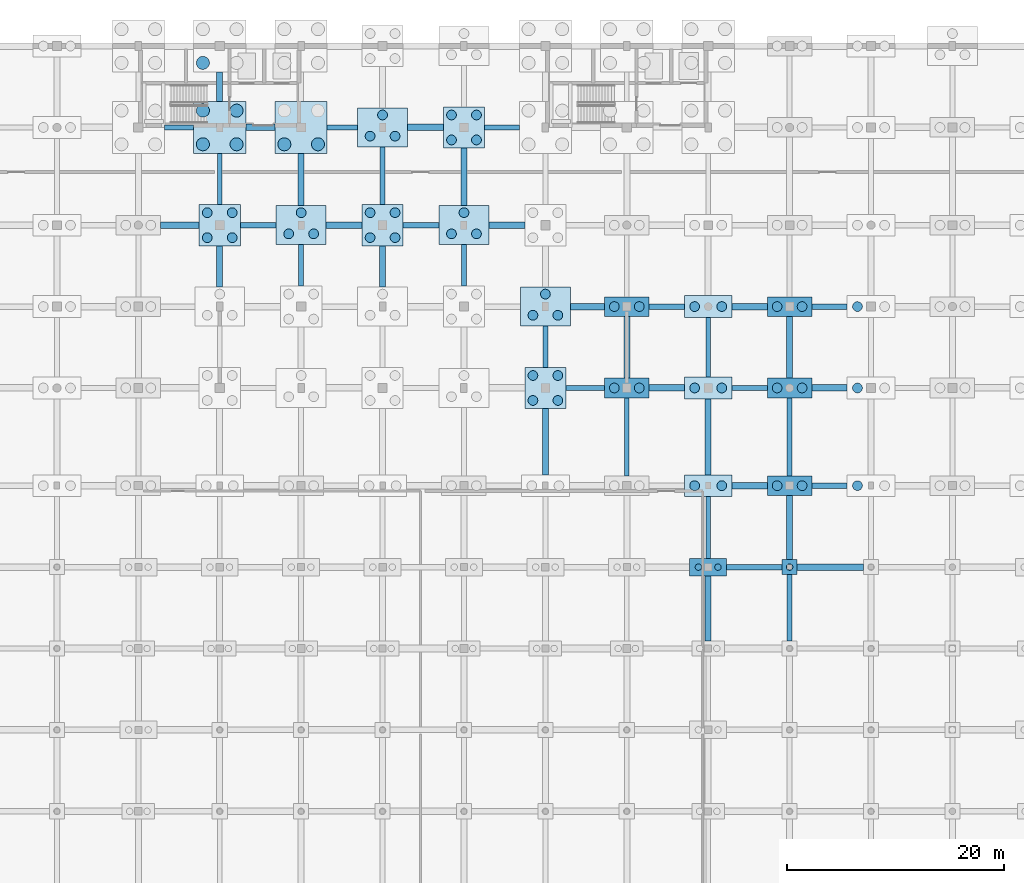
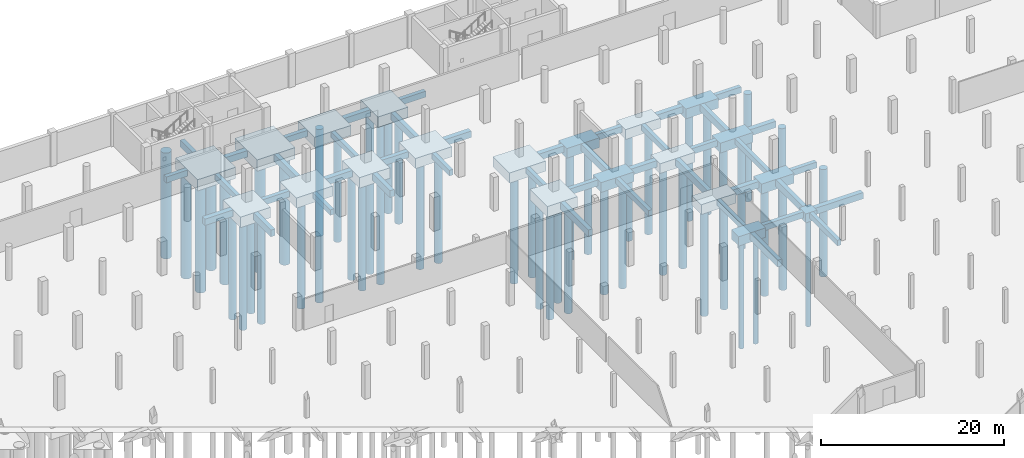
# One storey, part 9 of 42: 63 footings, 57 piles.
"""IFC4 building model written with IfcOpenShell, lengths in metres."""

from ifc_helpers import new_model, si_unit, direction, frame, origin, origin_2d, place, context, subcontext, project, spatial, rectangle, circle, extrude, material, material_profile, profile_set, type_object, element, save


model = new_model("IFC4")

# Units and contexts
model_context = context("Model", 3, precision=1e-05, world=origin(), true_north=direction((0.0, 1.0)))
body_context = subcontext(model_context, "Body", "Model", "MODEL_VIEW")
ifc_project = project(units=[si_unit("LENGTHUNIT", "METRE"), si_unit("AREAUNIT", "SQUARE_METRE"), si_unit("VOLUMEUNIT", "CUBIC_METRE"), si_unit("PLANEANGLEUNIT", "RADIAN"), si_unit("MASSUNIT", "GRAM", prefix="KILO")], contexts=[model_context])

# Site, building, storey
site_placement = place(None, origin())
site = spatial("IfcSite", under=ifc_project, at=site_placement, CompositionType="ELEMENT")
building_placement = place(site_placement, origin())
building = spatial("IfcBuilding", under=site, at=building_placement, Name="Dalvernix Boulevard General Hospital", CompositionType="ELEMENT")
storey_placement = place(building_placement, frame((0.0, 0.0, -4.5)))
storey = spatial("IfcBuildingStorey", under=building, at=storey_placement, Name="B1", CompositionType="ELEMENT", Elevation=-4.5)

# Footings
ifc_material_1 = material(Name="Concrete C35/45", Category="concrete")
footing_type_1 = type_object("IfcFootingType", Name="FTG-GB-01", PredefinedType="FOOTING_BEAM", material=ifc_material_1)
footing_1_placement = place(storey_placement, frame((116.75, 69.0, -1.2998046875), z_axis=(0.0, 0.0, 1.0), x_axis=(1.0, 0.0, 0.0)))
element("IfcFooting", 1, at=footing_1_placement, inside=storey, type_object=footing_type_1, Name="Ground beam K:16-17", PredefinedType="FOOTING_BEAM", context=body_context, shape_type="SweptSolid", body=[
    extrude(rectangle(XDim=5.10009765625, YDim=0.5, at=origin_2d()), origin(), (0.0, 0.0, 1.0), 0.800048828125),
])
footing_2_placement = place(storey_placement, frame((123.675048828125, 76.5, -1.2998046875), z_axis=(0.0, 0.0, 1.0), x_axis=(1.0, 0.0, 0.0)))
element("IfcFooting", 2, at=footing_2_placement, inside=storey, type_object=footing_type_1, Name="Ground beam L:17-18", PredefinedType="FOOTING_BEAM", context=body_context, shape_type="SweptSolid", body=[
    extrude(rectangle(XDim=3.25, YDim=0.5, at=origin_2d()), origin(), (0.0, 0.0, 1.0), 0.800048828125),
])
footing_3_placement = place(storey_placement, frame((101.175048828125, 85.5, -1.2998046875), z_axis=(0.0, 0.0, 1.0), x_axis=(1.0, 0.0, 0.0)))
element("IfcFooting", 3, at=footing_3_placement, inside=storey, type_object=footing_type_1, Name="Ground beam M:14-15", PredefinedType="FOOTING_BEAM", context=body_context, shape_type="SweptSolid", body=[
    extrude(rectangle(XDim=3.550048828125, YDim=0.5, at=origin_2d()), origin(), (0.0, 0.0, 1.0), 0.800048828125),
])
for number, where, z_axis, x_axis, name in (
    (4, (116.324951171875, 85.5, -1.2998046875), (0.0, 0.0, 1.0), (1.0, 0.0, 0.0), "Ground beam M:16-17"),
    (5, (108.675048828125, 93.0, -1.2998046875), (0.0, 0.0, 1.0), (1.0, 0.0, 0.0), "Ground beam N:15-16"),
    (6, (123.675048828125, 93.0, -1.2998046875), (0.0, 0.0, 1.0), (1.0, 0.0, 0.0), "Ground beam N:17-18"),
):
    element("IfcFooting", number, at=place(storey_placement, frame(where, z_axis=z_axis, x_axis=x_axis)), inside=storey, type_object=footing_type_1, Name=name, PredefinedType="FOOTING_BEAM", context=body_context, shape_type="SweptSolid", body=[
        extrude(rectangle(XDim=3.25, YDim=0.5, at=origin_2d()), origin(), (0.0, 0.0, 1.0), 0.800048828125),
    ])
for number, where, z_axis, x_axis, name in (
    (7, (71.050048828125, 100.5, -1.2998046875), (0.0, 0.0, 1.0), (1.0, 0.0, 0.0), "Ground beam P:10-11"),
    (8, (86.050048828125, 100.5, -1.2998046875), (0.0, 0.0, 1.0), (1.0, 0.0, 0.0), "Ground beam P:12-13"),
):
    element("IfcFooting", number, at=place(storey_placement, frame(where, z_axis=z_axis, x_axis=x_axis)), inside=storey, type_object=footing_type_1, Name=name, PredefinedType="FOOTING_BEAM", context=body_context, shape_type="SweptSolid", body=[
        extrude(rectangle(XDim=3.300048828125, YDim=0.5, at=origin_2d()), origin(), (0.0, 0.0, 1.0), 0.800048828125),
    ])
footing_4_placement = place(storey_placement, frame((63.75, 109.5, -1.2998046875), z_axis=(0.0, 0.0, 1.0), x_axis=(1.0, 0.0, 0.0)))
element("IfcFooting", 9, at=footing_4_placement, inside=storey, type_object=footing_type_1, Name="Ground beam Q:9-10", PredefinedType="FOOTING_BEAM", context=body_context, shape_type="SweptSolid", body=[
    extrude(rectangle(XDim=2.699951171875, YDim=0.5, at=origin_2d()), origin(), (0.0, 0.0, 1.0), 0.800048828125),
])
footing_5_placement = place(storey_placement, frame((78.800048828125, 109.5, -1.2998046875), z_axis=(0.0, 0.0, 1.0), x_axis=(1.0, 0.0, 0.0)))
element("IfcFooting", 10, at=footing_5_placement, inside=storey, type_object=footing_type_1, Name="Ground beam Q:11-12", PredefinedType="FOOTING_BEAM", context=body_context, shape_type="SweptSolid", body=[
    extrude(rectangle(XDim=2.800048828125, YDim=0.5, at=origin_2d()), origin(), (0.0, 0.0, 1.0), 0.800048828125),
])
footing_6_placement = place(storey_placement, frame((93.5, 109.5, -1.2998046875), z_axis=(0.0, 0.0, 1.0), x_axis=(1.0, 0.0, 0.0)))
element("IfcFooting", 11, at=footing_6_placement, inside=storey, type_object=footing_type_1, Name="Ground beam Q:13-14", PredefinedType="FOOTING_BEAM", context=body_context, shape_type="SweptSolid", body=[
    extrude(rectangle(XDim=3.199951171875, YDim=0.5, at=origin_2d()), origin(), (0.0, 0.0, 1.0), 0.800048828125),
])
footing_type_2 = type_object("IfcFootingType", Name="FTG-GB-02", PredefinedType="FOOTING_BEAM", material=ifc_material_1)
footing_7_placement = place(storey_placement, frame((123.75, 69.0, -1.35009765625), z_axis=(0.0, 0.0, 1.0), x_axis=(1.0, 0.0, 0.0)))
element("IfcFooting", 12, at=footing_7_placement, inside=storey, type_object=footing_type_2, Name="Ground beam K:17-18", PredefinedType="FOOTING_BEAM", context=body_context, shape_type="SweptSolid", body=[
    extrude(rectangle(XDim=6.10009765625, YDim=0.60009765625, at=origin_2d()), origin(), (0.0, 0.0, 1.0), 0.85009765625),
])
for number, where, z_axis, x_axis, name in (
    (13, (116.324951171875, 76.5, -1.35009765625), (0.0, 0.0, 1.0), (1.0, 0.0, 0.0), "Ground beam L:16-17"),
    (14, (108.675048828125, 85.5, -1.35009765625), (0.0, 0.0, 1.0), (1.0, 0.0, 0.0), "Ground beam M:15-16"),
    (15, (123.675048828125, 85.5, -1.35009765625), (0.0, 0.0, 1.0), (1.0, 0.0, 0.0), "Ground beam M:17-18"),
):
    element("IfcFooting", number, at=place(storey_placement, frame(where, z_axis=z_axis, x_axis=x_axis)), inside=storey, type_object=footing_type_2, Name=name, PredefinedType="FOOTING_BEAM", context=body_context, shape_type="SweptSolid", body=[
        extrude(rectangle(XDim=3.25, YDim=0.60009765625, at=origin_2d()), origin(), (0.0, 0.0, 1.0), 0.85009765625),
    ])
footing_8_placement = place(storey_placement, frame((101.375, 93.0, -1.35009765625), z_axis=(0.0, 0.0, 1.0), x_axis=(1.0, 0.0, 0.0)))
element("IfcFooting", 16, at=footing_8_placement, inside=storey, type_object=footing_type_2, Name="Ground beam N:14-15", PredefinedType="FOOTING_BEAM", context=body_context, shape_type="SweptSolid", body=[
    extrude(rectangle(XDim=3.14990234375, YDim=0.60009765625, at=origin_2d()), origin(), (0.0, 0.0, 1.0), 0.85009765625),
])
footing_9_placement = place(storey_placement, frame((116.324951171875, 93.0, -1.35009765625), z_axis=(0.0, 0.0, 1.0), x_axis=(1.0, 0.0, 0.0)))
element("IfcFooting", 17, at=footing_9_placement, inside=storey, type_object=footing_type_2, Name="Ground beam N:16-17", PredefinedType="FOOTING_BEAM", context=body_context, shape_type="SweptSolid", body=[
    extrude(rectangle(XDim=3.25, YDim=0.60009765625, at=origin_2d()), origin(), (0.0, 0.0, 1.0), 0.85009765625),
])
footing_10_placement = place(storey_placement, frame((63.824951171875, 100.5, -1.35009765625), z_axis=(0.0, 0.0, 1.0), x_axis=(1.0, 0.0, 0.0)))
element("IfcFooting", 18, at=footing_10_placement, inside=storey, type_object=footing_type_2, Name="Ground beam P:9-10", PredefinedType="FOOTING_BEAM", context=body_context, shape_type="SweptSolid", body=[
    extrude(rectangle(XDim=3.550048828125, YDim=0.60009765625, at=origin_2d()), origin(), (0.0, 0.0, 1.0), 0.85009765625),
])
for number, where, z_axis, x_axis, name in (
    (19, (78.949951171875, 100.5, -1.35009765625), (0.0, 0.0, 1.0), (1.0, 0.0, 0.0), "Ground beam P:11-12"),
    (20, (93.949951171875, 100.5, -1.35009765625), (0.0, 0.0, 1.0), (1.0, 0.0, 0.0), "Ground beam P:13-14"),
):
    element("IfcFooting", number, at=place(storey_placement, frame(where, z_axis=z_axis, x_axis=x_axis)), inside=storey, type_object=footing_type_2, Name=name, PredefinedType="FOOTING_BEAM", context=body_context, shape_type="SweptSolid", body=[
        extrude(rectangle(XDim=3.300048828125, YDim=0.60009765625, at=origin_2d()), origin(), (0.0, 0.0, 1.0), 0.85009765625),
    ])
footing_11_placement = place(storey_placement, frame((71.25, 109.5, -1.35009765625), z_axis=(0.0, 0.0, 1.0), x_axis=(1.0, 0.0, 0.0)))
element("IfcFooting", 21, at=footing_11_placement, inside=storey, type_object=footing_type_2, Name="Ground beam Q:10-11", PredefinedType="FOOTING_BEAM", context=body_context, shape_type="SweptSolid", body=[
    extrude(rectangle(XDim=2.699951171875, YDim=0.60009765625, at=origin_2d()), origin(), (0.0, 0.0, 1.0), 0.85009765625),
])
footing_12_placement = place(storey_placement, frame((86.449951171875, 109.5, -1.35009765625), z_axis=(0.0, 0.0, 1.0), x_axis=(1.0, 0.0, 0.0)))
element("IfcFooting", 22, at=footing_12_placement, inside=storey, type_object=footing_type_2, Name="Ground beam Q:12-13", PredefinedType="FOOTING_BEAM", context=body_context, shape_type="SweptSolid", body=[
    extrude(rectangle(XDim=3.300048828125, YDim=0.60009765625, at=origin_2d()), origin(), (0.0, 0.0, 1.0), 0.85009765625),
])
footing_type_3 = type_object("IfcFootingType", Name="FTG-GB-03", PredefinedType="FOOTING_BEAM", material=ifc_material_1)
footing_13_placement = place(storey_placement, frame((67.5, 104.75, -1.25), z_axis=(0.0, 0.0, 1.0), x_axis=(0.0, 1.0, 0.0)))
element("IfcFooting", 23, at=footing_13_placement, inside=storey, type_object=footing_type_3, Name="Ground beam 10:P-Q", PredefinedType="FOOTING_BEAM", context=body_context, shape_type="SweptSolid", body=[
    extrude(rectangle(XDim=4.699951171875, YDim=0.449951171875, at=origin_2d()), origin(), (0.0, 0.0, 1.0), 0.75),
])
footing_14_placement = place(storey_placement, frame((75.0, 96.800048828125, -1.25), z_axis=(0.0, 0.0, 1.0), x_axis=(0.0, 1.0, 0.0)))
element("IfcFooting", 24, at=footing_14_placement, inside=storey, type_object=footing_type_3, Name="Ground beam 11:N-P", PredefinedType="FOOTING_BEAM", context=body_context, shape_type="SweptSolid", body=[
    extrude(rectangle(XDim=3.800048828125, YDim=0.449951171875, at=origin_2d()), origin(), (0.0, 0.0, 1.0), 0.75),
])
footing_15_placement = place(storey_placement, frame((82.5, 105.050048828125, -1.25), z_axis=(0.0, 0.0, 1.0), x_axis=(0.0, 1.0, 0.0)))
element("IfcFooting", 25, at=footing_15_placement, inside=storey, type_object=footing_type_3, Name="Ground beam 12:P-Q", PredefinedType="FOOTING_BEAM", context=body_context, shape_type="SweptSolid", body=[
    extrude(rectangle(XDim=5.300048828125, YDim=0.449951171875, at=origin_2d()), origin(), (0.0, 0.0, 1.0), 0.75),
])
for number, where, z_axis, x_axis, name in (
    (26, (90.0, 96.800048828125, -1.25), (0.0, 0.0, 1.0), (0.0, 1.0, 0.0), "Ground beam 13:N-P"),
    (27, (97.5, 89.300048828125, -1.25), (0.0, 0.0, 1.0), (0.0, 1.0, 0.0), "Ground beam 14:M-N"),
):
    element("IfcFooting", number, at=place(storey_placement, frame(where, z_axis=z_axis, x_axis=x_axis)), inside=storey, type_object=footing_type_3, Name=name, PredefinedType="FOOTING_BEAM", context=body_context, shape_type="SweptSolid", body=[
        extrude(rectangle(XDim=3.800048828125, YDim=0.449951171875, at=origin_2d()), origin(), (0.0, 0.0, 1.0), 0.75),
    ])
footing_16_placement = place(storey_placement, frame((105.0, 81.0, -1.25), z_axis=(0.0, 0.0, 1.0), x_axis=(0.0, 1.0, 0.0)))
element("IfcFooting", 28, at=footing_16_placement, inside=storey, type_object=footing_type_3, Name="Ground beam 15:L-M", PredefinedType="FOOTING_BEAM", context=body_context, shape_type="SweptSolid", body=[
    extrude(rectangle(XDim=7.199951171875, YDim=0.449951171875, at=origin_2d()), origin(), (0.0, 0.0, 1.0), 0.75),
])
footing_17_placement = place(storey_placement, frame((112.5, 72.64990234375, -1.25), z_axis=(0.0, 0.0, 1.0), x_axis=(0.0, 1.0, 0.0)))
element("IfcFooting", 29, at=footing_17_placement, inside=storey, type_object=footing_type_3, Name="Ground beam 16:K-L", PredefinedType="FOOTING_BEAM", context=body_context, shape_type="SweptSolid", body=[
    extrude(rectangle(XDim=5.699951171875, YDim=0.449951171875, at=origin_2d()), origin(), (0.0, 0.0, 1.0), 0.75),
])
footing_18_placement = place(storey_placement, frame((112.5, 89.25, -1.25), z_axis=(0.0, 0.0, 1.0), x_axis=(0.0, 1.0, 0.0)))
element("IfcFooting", 30, at=footing_18_placement, inside=storey, type_object=footing_type_3, Name="Ground beam 16:M-N", PredefinedType="FOOTING_BEAM", context=body_context, shape_type="SweptSolid", body=[
    extrude(rectangle(XDim=5.5, YDim=0.449951171875, at=origin_2d()), origin(), (0.0, 0.0, 1.0), 0.75),
])
footing_19_placement = place(storey_placement, frame((120.0, 65.25, -1.25), z_axis=(0.0, 0.0, 1.0), x_axis=(0.0, 1.0, 0.0)))
element("IfcFooting", 31, at=footing_19_placement, inside=storey, type_object=footing_type_3, Name="Ground beam 17:J-K", PredefinedType="FOOTING_BEAM", context=body_context, shape_type="SweptSolid", body=[
    extrude(rectangle(XDim=6.10009765625, YDim=0.449951171875, at=origin_2d()), origin(), (0.0, 0.0, 1.0), 0.75),
])
footing_20_placement = place(storey_placement, frame((120.0, 81.0, -1.25), z_axis=(0.0, 0.0, 1.0), x_axis=(0.0, 1.0, 0.0)))
element("IfcFooting", 32, at=footing_20_placement, inside=storey, type_object=footing_type_3, Name="Ground beam 17:L-M", PredefinedType="FOOTING_BEAM", context=body_context, shape_type="SweptSolid", body=[
    extrude(rectangle(XDim=7.199951171875, YDim=0.449951171875, at=origin_2d()), origin(), (0.0, 0.0, 1.0), 0.75),
])
footing_type_4 = type_object("IfcFootingType", Name="FTG-GB-04", PredefinedType="FOOTING_BEAM", material=ifc_material_1)
footing_21_placement = place(storey_placement, frame((67.5, 96.699951171875, -1.39990234375), z_axis=(0.0, 0.0, 1.0), x_axis=(0.0, 1.0, 0.0)))
element("IfcFooting", 33, at=footing_21_placement, inside=storey, type_object=footing_type_4, Name="Ground beam 10:N-P", PredefinedType="FOOTING_BEAM", context=body_context, shape_type="SweptSolid", body=[
    extrude(rectangle(XDim=3.800048828125, YDim=0.550048828125, at=origin_2d()), origin(), (0.0, 0.0, 1.0), 0.89990234375),
])
footing_22_placement = place(storey_placement, frame((67.5, 113.25, -1.39990234375), z_axis=(0.0, 0.0, 1.0), x_axis=(0.0, 1.0, 0.0)))
element("IfcFooting", 34, at=footing_22_placement, inside=storey, type_object=footing_type_4, Name="Ground beam 10:Q-R", PredefinedType="FOOTING_BEAM", context=body_context, shape_type="SweptSolid", body=[
    extrude(rectangle(XDim=2.699951171875, YDim=0.550048828125, at=origin_2d()), origin(), (0.0, 0.0, 1.0), 0.89990234375),
])
footing_23_placement = place(storey_placement, frame((75.0, 104.699951171875, -1.39990234375), z_axis=(0.0, 0.0, 1.0), x_axis=(0.0, 1.0, 0.0)))
element("IfcFooting", 35, at=footing_23_placement, inside=storey, type_object=footing_type_4, Name="Ground beam 11:P-Q", PredefinedType="FOOTING_BEAM", context=body_context, shape_type="SweptSolid", body=[
    extrude(rectangle(XDim=4.800048828125, YDim=0.550048828125, at=origin_2d()), origin(), (0.0, 0.0, 1.0), 0.89990234375),
])
footing_24_placement = place(storey_placement, frame((82.5, 96.699951171875, -1.39990234375), z_axis=(0.0, 0.0, 1.0), x_axis=(0.0, 1.0, 0.0)))
element("IfcFooting", 36, at=footing_24_placement, inside=storey, type_object=footing_type_4, Name="Ground beam 12:N-P", PredefinedType="FOOTING_BEAM", context=body_context, shape_type="SweptSolid", body=[
    extrude(rectangle(XDim=3.800048828125, YDim=0.550048828125, at=origin_2d()), origin(), (0.0, 0.0, 1.0), 0.89990234375),
])
footing_25_placement = place(storey_placement, frame((90.0, 104.949951171875, -1.39990234375), z_axis=(0.0, 0.0, 1.0), x_axis=(0.0, 1.0, 0.0)))
element("IfcFooting", 37, at=footing_25_placement, inside=storey, type_object=footing_type_4, Name="Ground beam 13:P-Q", PredefinedType="FOOTING_BEAM", context=body_context, shape_type="SweptSolid", body=[
    extrude(rectangle(XDim=5.300048828125, YDim=0.550048828125, at=origin_2d()), origin(), (0.0, 0.0, 1.0), 0.89990234375),
])
footing_26_placement = place(storey_placement, frame((97.5, 80.550048828125, -1.39990234375), z_axis=(0.0, 0.0, 1.0), x_axis=(0.0, 1.0, 0.0)))
element("IfcFooting", 38, at=footing_26_placement, inside=storey, type_object=footing_type_4, Name="Ground beam 14:L-M", PredefinedType="FOOTING_BEAM", context=body_context, shape_type="SweptSolid", body=[
    extrude(rectangle(XDim=6.10009765625, YDim=0.550048828125, at=origin_2d()), origin(), (0.0, 0.0, 1.0), 0.89990234375),
])
footing_27_placement = place(storey_placement, frame((105.0, 89.25, -1.39990234375), z_axis=(0.0, 0.0, 1.0), x_axis=(0.0, 1.0, 0.0)))
element("IfcFooting", 39, at=footing_27_placement, inside=storey, type_object=footing_type_4, Name="Ground beam 15:M-N", PredefinedType="FOOTING_BEAM", context=body_context, shape_type="SweptSolid", body=[
    extrude(rectangle(XDim=5.699951171875, YDim=0.550048828125, at=origin_2d()), origin(), (0.0, 0.0, 1.0), 0.89990234375),
])
footing_28_placement = place(storey_placement, frame((112.5, 65.199951171875, -1.39990234375), z_axis=(0.0, 0.0, 1.0), x_axis=(0.0, 1.0, 0.0)))
element("IfcFooting", 40, at=footing_28_placement, inside=storey, type_object=footing_type_4, Name="Ground beam 16:J-K", PredefinedType="FOOTING_BEAM", context=body_context, shape_type="SweptSolid", body=[
    extrude(rectangle(XDim=6.0, YDim=0.550048828125, at=origin_2d()), origin(), (0.0, 0.0, 1.0), 0.89990234375),
])
footing_29_placement = place(storey_placement, frame((112.5, 81.0, -1.39990234375), z_axis=(0.0, 0.0, 1.0), x_axis=(0.0, 1.0, 0.0)))
element("IfcFooting", 41, at=footing_29_placement, inside=storey, type_object=footing_type_4, Name="Ground beam 16:L-M", PredefinedType="FOOTING_BEAM", context=body_context, shape_type="SweptSolid", body=[
    extrude(rectangle(XDim=7.0, YDim=0.550048828125, at=origin_2d()), origin(), (0.0, 0.0, 1.0), 0.89990234375),
])
footing_30_placement = place(storey_placement, frame((120.0, 72.64990234375, -1.39990234375), z_axis=(0.0, 0.0, 1.0), x_axis=(0.0, 1.0, 0.0)))
element("IfcFooting", 42, at=footing_30_placement, inside=storey, type_object=footing_type_4, Name="Ground beam 17:K-L", PredefinedType="FOOTING_BEAM", context=body_context, shape_type="SweptSolid", body=[
    extrude(rectangle(XDim=5.89990234375, YDim=0.550048828125, at=origin_2d()), origin(), (0.0, 0.0, 1.0), 0.89990234375),
])
footing_31_placement = place(storey_placement, frame((120.0, 89.25, -1.39990234375), z_axis=(0.0, 0.0, 1.0), x_axis=(0.0, 1.0, 0.0)))
element("IfcFooting", 43, at=footing_31_placement, inside=storey, type_object=footing_type_4, Name="Ground beam 17:M-N", PredefinedType="FOOTING_BEAM", context=body_context, shape_type="SweptSolid", body=[
    extrude(rectangle(XDim=5.699951171875, YDim=0.550048828125, at=origin_2d()), origin(), (0.0, 0.0, 1.0), 0.89990234375),
])
ifc_material_2 = material(Name="Concrete C40/50", Category="concrete")
footing_type_5 = type_object("IfcFootingType", Name="FTG-PC-01", PredefinedType="PILE_CAP", material=ifc_material_2)
footing_32_placement = place(storey_placement, frame((120.0, 69.0, -1.7001953125), z_axis=(0.0, 0.0, 1.0), x_axis=(1.0, 0.0, 0.0)))
element("IfcFooting", 44, at=footing_32_placement, inside=storey, type_object=footing_type_5, Name="Pile cap 17K", PredefinedType="PILE_CAP", context=body_context, shape_type="SweptSolid", body=[
    extrude(rectangle(XDim=1.39990234375, YDim=1.39990234375, at=origin_2d()), origin(), (0.0, 0.0, 1.0), 1.199951171875),
])
footing_type_6 = type_object("IfcFootingType", Name="FTG-PC-03", PredefinedType="PILE_CAP", material=ifc_material_2)
footing_33_placement = place(storey_placement, frame((112.5, 69.0, -1.75), z_axis=(0.0, 0.0, 1.0), x_axis=(1.0, 0.0, 0.0)))
element("IfcFooting", 45, at=footing_33_placement, inside=storey, type_object=footing_type_6, Name="Pile cap 16K", PredefinedType="PILE_CAP", context=body_context, shape_type="SweptSolid", body=[
    extrude(rectangle(XDim=3.39990234375, YDim=1.60009765625, at=origin_2d()), origin(), (0.0, 0.0, 1.0), 1.25),
])
footing_type_7 = type_object("IfcFootingType", Name="FTG-PC-04", PredefinedType="PILE_CAP", material=ifc_material_2)
for number, where, z_axis, x_axis, name in (
    (46, (105.0, 85.5, -1.7998046875), (0.0, 0.0, 1.0), (1.0, 0.0, 0.0), "Pile cap 15M"),
    (47, (105.0, 93.0, -1.7998046875), (0.0, 0.0, 1.0), (1.0, 0.0, 0.0), "Pile cap 15N"),
    (48, (120.0, 76.5, -1.7998046875), (0.0, 0.0, 1.0), (1.0, 0.0, 0.0), "Pile cap 17L"),
    (49, (120.0, 85.5, -1.7998046875), (0.0, 0.0, 1.0), (1.0, 0.0, 0.0), "Pile cap 17M"),
    (50, (120.0, 93.0, -1.7998046875), (0.0, 0.0, 1.0), (1.0, 0.0, 0.0), "Pile cap 17N"),
):
    element("IfcFooting", number, at=place(storey_placement, frame(where, z_axis=z_axis, x_axis=x_axis)), inside=storey, type_object=footing_type_7, Name=name, PredefinedType="PILE_CAP", context=body_context, shape_type="SweptSolid", body=[
        extrude(rectangle(XDim=4.10009765625, YDim=1.800048828125, at=origin_2d()), origin(), (0.0, 0.0, 1.0), 1.300048828125),
    ])
footing_type_8 = type_object("IfcFootingType", Name="FTG-PC-05", PredefinedType="PILE_CAP", material=ifc_material_2)
for number, where, z_axis, x_axis, name in (
    (51, (112.5, 76.5, -1.7998046875), (0.0, 0.0, 1.0), (1.0, 0.0, 0.0), "Pile cap 16L"),
    (52, (112.5, 85.5, -1.7998046875), (0.0, 0.0, 1.0), (1.0, 0.0, 0.0), "Pile cap 16M"),
    (53, (112.5, 93.0, -1.7998046875), (0.0, 0.0, 1.0), (1.0, 0.0, 0.0), "Pile cap 16N"),
):
    element("IfcFooting", number, at=place(storey_placement, frame(where, z_axis=z_axis, x_axis=x_axis)), inside=storey, type_object=footing_type_8, Name=name, PredefinedType="PILE_CAP", context=body_context, shape_type="SweptSolid", body=[
        extrude(rectangle(XDim=4.39990234375, YDim=2.0, at=origin_2d()), origin(), (0.0, 0.0, 1.0), 1.300048828125),
    ])
footing_type_9 = type_object("IfcFootingType", Name="FTG-PC-06", PredefinedType="PILE_CAP", material=ifc_material_2)
for number, where, z_axis, x_axis, name in (
    (54, (75.0, 100.5, -1.85009765625), (0.0, 0.0, 1.0), (1.0, 0.0, 0.0), "Pile cap 11P"),
    (55, (82.5, 109.5, -1.85009765625), (0.0, 0.0, 1.0), (1.0, 0.0, 0.0), "Pile cap 12Q"),
    (56, (90.0, 100.5, -1.85009765625), (0.0, 0.0, 1.0), (1.0, 0.0, 0.0), "Pile cap 13P"),
    (57, (97.5, 93.0, -1.85009765625), (0.0, 0.0, 1.0), (1.0, 0.0, 0.0), "Pile cap 14N"),
):
    element("IfcFooting", number, at=place(storey_placement, frame(where, z_axis=z_axis, x_axis=x_axis)), inside=storey, type_object=footing_type_9, Name=name, PredefinedType="PILE_CAP", context=body_context, shape_type="SweptSolid", body=[
        extrude(rectangle(XDim=4.60009765625, YDim=3.60009765625, at=origin_2d()), origin(), (0.0, 0.0, 1.0), 1.35009765625),
    ])
footing_type_10 = type_object("IfcFootingType", Name="FTG-PC-07", PredefinedType="PILE_CAP", material=ifc_material_2)
for number, where, z_axis, x_axis, name in (
    (58, (67.5, 100.5, -1.89990234375), (0.0, 0.0, 1.0), (1.0, 0.0, 0.0), "Pile cap 10P"),
    (59, (82.5, 100.5, -1.89990234375), (0.0, 0.0, 1.0), (1.0, 0.0, 0.0), "Pile cap 12P"),
    (60, (90.0, 109.5, -1.89990234375), (0.0, 0.0, 1.0), (1.0, 0.0, 0.0), "Pile cap 13Q"),
    (61, (97.5, 85.5, -1.89990234375), (0.0, 0.0, 1.0), (1.0, 0.0, 0.0), "Pile cap 14M"),
):
    element("IfcFooting", number, at=place(storey_placement, frame(where, z_axis=z_axis, x_axis=x_axis)), inside=storey, type_object=footing_type_10, Name=name, PredefinedType="PILE_CAP", context=body_context, shape_type="SweptSolid", body=[
        extrude(rectangle(XDim=3.800048828125, YDim=3.800048828125, at=origin_2d()), origin(), (0.0, 0.0, 1.0), 1.39990234375),
    ])
footing_type_11 = type_object("IfcFootingType", Name="FTG-PC-09", PredefinedType="PILE_CAP", material=ifc_material_2)
for number, where, z_axis, x_axis, name in (
    (62, (67.5, 109.5, -2.0), (0.0, 0.0, 1.0), (1.0, 0.0, 0.0), "Pile cap 10Q"),
    (63, (75.0, 109.5, -2.0), (0.0, 0.0, 1.0), (1.0, 0.0, 0.0), "Pile cap 11Q"),
):
    element("IfcFooting", number, at=place(storey_placement, frame(where, z_axis=z_axis, x_axis=x_axis)), inside=storey, type_object=footing_type_11, Name=name, PredefinedType="PILE_CAP", context=body_context, shape_type="SweptSolid", body=[
        extrude(rectangle(XDim=4.800048828125, YDim=4.800048828125, at=origin_2d()), origin(), (0.0, 0.0, 1.0), 1.5),
    ])

# Piles
ifc_material_profile_1 = material_profile(ifc_material_1, circle(Radius=0.300048828125, at=origin_2d()), Name="BORED PILE D600")
ifc_profile_set_1 = profile_set([ifc_material_profile_1], Name="Concrete C35/45")
pile_type_1 = type_object("IfcPileType", Name="PILE-PL-01", PredefinedType="BORED", material=ifc_profile_set_1)
for number, where, z_axis, x_axis, name in (
    (64, (111.60009765625, 69.0, -1.64990234375), (0.0, 0.0, -1.0), (1.0, 0.0, 0.0), "Bored pile 16K-1"),
    (65, (113.39990234375, 69.0, -1.64990234375), (0.0, 0.0, -1.0), (1.0, 0.0, 0.0), "Bored pile 16K-2"),
):
    element("IfcPile", number, at=place(storey_placement, frame(where, z_axis=z_axis, x_axis=x_axis)), inside=storey, type_object=pile_type_1, Name=name, PredefinedType="BORED", context=body_context, shape_type="SweptSolid", body=[
        extrude(circle(Radius=0.300048828125, at=origin_2d()), origin(), (0.0, 0.0, 1.0), 14.35009765625),
    ])
pile_placement = place(storey_placement, frame((120.0, 69.0, -1.60009765625), z_axis=(0.0, 0.0, -1.0), x_axis=(1.0, 0.0, 0.0)))
element("IfcPile", 66, at=pile_placement, inside=storey, type_object=pile_type_1, Name="Bored pile 17K-1", PredefinedType="BORED", context=body_context, shape_type="SweptSolid", body=[
    extrude(circle(Radius=0.300048828125, at=origin_2d()), origin(), (0.0, 0.0, 1.0), 14.39990234375),
])
ifc_material_profile_2 = material_profile(ifc_material_1, circle(Radius=0.449951171875, at=origin_2d()), Name="BORED PILE D900")
ifc_profile_set_2 = profile_set([ifc_material_profile_2], Name="Concrete C35/45")
pile_type_2 = type_object("IfcPileType", Name="PILE-PL-02", PredefinedType="BORED", material=ifc_profile_set_2)
for number, where, z_axis, x_axis, name in (
    (67, (66.35009765625, 99.35009765625, -1.800048828125), (0.0, 0.0, -1.0), (1.0, 0.0, 0.0), "Bored pile 10P-1"),
    (68, (68.64990234375, 99.35009765625, -1.800048828125), (0.0, 0.0, -1.0), (1.0, 0.0, 0.0), "Bored pile 10P-2"),
    (69, (66.35009765625, 101.64990234375, -1.800048828125), (0.0, 0.0, -1.0), (1.0, 0.0, 0.0), "Bored pile 10P-3"),
    (70, (68.64990234375, 101.64990234375, -1.800048828125), (0.0, 0.0, -1.0), (1.0, 0.0, 0.0), "Bored pile 10P-4"),
):
    element("IfcPile", number, at=place(storey_placement, frame(where, z_axis=z_axis, x_axis=x_axis)), inside=storey, type_object=pile_type_2, Name=name, PredefinedType="BORED", context=body_context, shape_type="SweptSolid", body=[
        extrude(circle(Radius=0.449951171875, at=origin_2d()), origin(), (0.0, 0.0, 1.0), 14.199951171875),
    ])
for number, where, z_axis, x_axis, name in (
    (71, (73.85009765625, 99.699951171875, -1.75), (0.0, 0.0, -1.0), (1.0, 0.0, 0.0), "Bored pile 11P-1"),
    (72, (76.14990234375, 99.699951171875, -1.75), (0.0, 0.0, -1.0), (1.0, 0.0, 0.0), "Bored pile 11P-2"),
    (73, (75.0, 101.64990234375, -1.75), (0.0, 0.0, -1.0), (1.0, 0.0, 0.0), "Bored pile 11P-3"),
):
    element("IfcPile", number, at=place(storey_placement, frame(where, z_axis=z_axis, x_axis=x_axis)), inside=storey, type_object=pile_type_2, Name=name, PredefinedType="BORED", context=body_context, shape_type="SweptSolid", body=[
        extrude(circle(Radius=0.449951171875, at=origin_2d()), origin(), (0.0, 0.0, 1.0), 14.25),
    ])
for number, where, z_axis, x_axis, name in (
    (74, (81.35009765625, 99.35009765625, -1.800048828125), (0.0, 0.0, -1.0), (1.0, 0.0, 0.0), "Bored pile 12P-1"),
    (75, (83.64990234375, 99.35009765625, -1.800048828125), (0.0, 0.0, -1.0), (1.0, 0.0, 0.0), "Bored pile 12P-2"),
    (76, (81.35009765625, 101.64990234375, -1.800048828125), (0.0, 0.0, -1.0), (1.0, 0.0, 0.0), "Bored pile 12P-3"),
    (77, (83.64990234375, 101.64990234375, -1.800048828125), (0.0, 0.0, -1.0), (1.0, 0.0, 0.0), "Bored pile 12P-4"),
):
    element("IfcPile", number, at=place(storey_placement, frame(where, z_axis=z_axis, x_axis=x_axis)), inside=storey, type_object=pile_type_2, Name=name, PredefinedType="BORED", context=body_context, shape_type="SweptSolid", body=[
        extrude(circle(Radius=0.449951171875, at=origin_2d()), origin(), (0.0, 0.0, 1.0), 14.199951171875),
    ])
for number, where, z_axis, x_axis, name in (
    (78, (81.35009765625, 108.699951171875, -1.75), (0.0, 0.0, -1.0), (1.0, 0.0, 0.0), "Bored pile 12Q-1"),
    (79, (83.64990234375, 108.699951171875, -1.75), (0.0, 0.0, -1.0), (1.0, 0.0, 0.0), "Bored pile 12Q-2"),
    (80, (82.5, 110.64990234375, -1.75), (0.0, 0.0, -1.0), (1.0, 0.0, 0.0), "Bored pile 12Q-3"),
    (81, (88.85009765625, 99.699951171875, -1.75), (0.0, 0.0, -1.0), (1.0, 0.0, 0.0), "Bored pile 13P-1"),
    (82, (91.14990234375, 99.699951171875, -1.75), (0.0, 0.0, -1.0), (1.0, 0.0, 0.0), "Bored pile 13P-2"),
    (83, (90.0, 101.64990234375, -1.75), (0.0, 0.0, -1.0), (1.0, 0.0, 0.0), "Bored pile 13P-3"),
):
    element("IfcPile", number, at=place(storey_placement, frame(where, z_axis=z_axis, x_axis=x_axis)), inside=storey, type_object=pile_type_2, Name=name, PredefinedType="BORED", context=body_context, shape_type="SweptSolid", body=[
        extrude(circle(Radius=0.449951171875, at=origin_2d()), origin(), (0.0, 0.0, 1.0), 14.25),
    ])
for number, where, z_axis, x_axis, name in (
    (84, (88.85009765625, 108.35009765625, -1.800048828125), (0.0, 0.0, -1.0), (1.0, 0.0, 0.0), "Bored pile 13Q-1"),
    (85, (91.14990234375, 108.35009765625, -1.800048828125), (0.0, 0.0, -1.0), (1.0, 0.0, 0.0), "Bored pile 13Q-2"),
    (86, (88.85009765625, 110.64990234375, -1.800048828125), (0.0, 0.0, -1.0), (1.0, 0.0, 0.0), "Bored pile 13Q-3"),
    (87, (91.14990234375, 110.64990234375, -1.800048828125), (0.0, 0.0, -1.0), (1.0, 0.0, 0.0), "Bored pile 13Q-4"),
    (88, (96.35009765625, 84.35009765625, -1.800048828125), (0.0, 0.0, -1.0), (1.0, 0.0, 0.0), "Bored pile 14M-1"),
    (89, (98.64990234375, 84.35009765625, -1.800048828125), (0.0, 0.0, -1.0), (1.0, 0.0, 0.0), "Bored pile 14M-2"),
    (90, (96.35009765625, 86.64990234375, -1.800048828125), (0.0, 0.0, -1.0), (1.0, 0.0, 0.0), "Bored pile 14M-3"),
    (91, (98.64990234375, 86.64990234375, -1.800048828125), (0.0, 0.0, -1.0), (1.0, 0.0, 0.0), "Bored pile 14M-4"),
):
    element("IfcPile", number, at=place(storey_placement, frame(where, z_axis=z_axis, x_axis=x_axis)), inside=storey, type_object=pile_type_2, Name=name, PredefinedType="BORED", context=body_context, shape_type="SweptSolid", body=[
        extrude(circle(Radius=0.449951171875, at=origin_2d()), origin(), (0.0, 0.0, 1.0), 14.199951171875),
    ])
for number, where, z_axis, x_axis, name in (
    (92, (96.35009765625, 92.199951171875, -1.75), (0.0, 0.0, -1.0), (1.0, 0.0, 0.0), "Bored pile 14N-1"),
    (93, (98.64990234375, 92.199951171875, -1.75), (0.0, 0.0, -1.0), (1.0, 0.0, 0.0), "Bored pile 14N-2"),
    (94, (97.5, 94.14990234375, -1.75), (0.0, 0.0, -1.0), (1.0, 0.0, 0.0), "Bored pile 14N-3"),
):
    element("IfcPile", number, at=place(storey_placement, frame(where, z_axis=z_axis, x_axis=x_axis)), inside=storey, type_object=pile_type_2, Name=name, PredefinedType="BORED", context=body_context, shape_type="SweptSolid", body=[
        extrude(circle(Radius=0.449951171875, at=origin_2d()), origin(), (0.0, 0.0, 1.0), 14.25),
    ])
for number, where, z_axis, x_axis, name in (
    (95, (103.85009765625, 85.5, -1.699951171875), (0.0, 0.0, -1.0), (1.0, 0.0, 0.0), "Bored pile 15M-1"),
    (96, (106.14990234375, 85.5, -1.699951171875), (0.0, 0.0, -1.0), (1.0, 0.0, 0.0), "Bored pile 15M-2"),
    (97, (103.85009765625, 93.0, -1.699951171875), (0.0, 0.0, -1.0), (1.0, 0.0, 0.0), "Bored pile 15N-1"),
    (98, (106.14990234375, 93.0, -1.699951171875), (0.0, 0.0, -1.0), (1.0, 0.0, 0.0), "Bored pile 15N-2"),
    (99, (111.25, 76.5, -1.699951171875), (0.0, 0.0, -1.0), (1.0, 0.0, 0.0), "Bored pile 16L-1"),
    (100, (113.75, 76.5, -1.699951171875), (0.0, 0.0, -1.0), (1.0, 0.0, 0.0), "Bored pile 16L-2"),
    (101, (111.25, 85.5, -1.699951171875), (0.0, 0.0, -1.0), (1.0, 0.0, 0.0), "Bored pile 16M-1"),
    (102, (113.75, 85.5, -1.699951171875), (0.0, 0.0, -1.0), (1.0, 0.0, 0.0), "Bored pile 16M-2"),
    (103, (111.25, 93.0, -1.699951171875), (0.0, 0.0, -1.0), (1.0, 0.0, 0.0), "Bored pile 16N-1"),
    (104, (113.75, 93.0, -1.699951171875), (0.0, 0.0, -1.0), (1.0, 0.0, 0.0), "Bored pile 16N-2"),
    (105, (118.85009765625, 76.5, -1.699951171875), (0.0, 0.0, -1.0), (1.0, 0.0, 0.0), "Bored pile 17L-1"),
    (106, (121.14990234375, 76.5, -1.699951171875), (0.0, 0.0, -1.0), (1.0, 0.0, 0.0), "Bored pile 17L-2"),
    (107, (118.85009765625, 85.5, -1.699951171875), (0.0, 0.0, -1.0), (1.0, 0.0, 0.0), "Bored pile 17M-1"),
    (108, (121.14990234375, 85.5, -1.699951171875), (0.0, 0.0, -1.0), (1.0, 0.0, 0.0), "Bored pile 17M-2"),
    (109, (118.85009765625, 93.0, -1.699951171875), (0.0, 0.0, -1.0), (1.0, 0.0, 0.0), "Bored pile 17N-1"),
    (110, (121.14990234375, 93.0, -1.699951171875), (0.0, 0.0, -1.0), (1.0, 0.0, 0.0), "Bored pile 17N-2"),
    (111, (126.25, 76.5, -1.699951171875), (0.0, 0.0, -1.0), (1.0, 0.0, 0.0), "Bored pile 18L-1"),
    (112, (126.25, 85.5, -1.699951171875), (0.0, 0.0, -1.0), (1.0, 0.0, 0.0), "Bored pile 18M-1"),
    (113, (126.25, 93.0, -1.699951171875), (0.0, 0.0, -1.0), (1.0, 0.0, 0.0), "Bored pile 18N-1"),
):
    element("IfcPile", number, at=place(storey_placement, frame(where, z_axis=z_axis, x_axis=x_axis)), inside=storey, type_object=pile_type_2, Name=name, PredefinedType="BORED", context=body_context, shape_type="SweptSolid", body=[
        extrude(circle(Radius=0.449951171875, at=origin_2d()), origin(), (0.0, 0.0, 1.0), 14.300048828125),
    ])
ifc_material_profile_3 = material_profile(ifc_material_1, circle(Radius=0.60009765625, at=origin_2d()), Name="BORED PILE D1200")
ifc_profile_set_3 = profile_set([ifc_material_profile_3], Name="Concrete C35/45")
pile_type_3 = type_object("IfcPileType", Name="PILE-PL-03", PredefinedType="BORED", material=ifc_profile_set_3)
for number, where, z_axis, x_axis, name in (
    (114, (65.949951171875, 107.949951171875, -1.89990234375), (0.0, 0.0, -1.0), (1.0, 0.0, 0.0), "Bored pile 10Q-1"),
    (115, (69.050048828125, 107.949951171875, -1.89990234375), (0.0, 0.0, -1.0), (1.0, 0.0, 0.0), "Bored pile 10Q-2"),
    (116, (65.949951171875, 111.050048828125, -1.89990234375), (0.0, 0.0, -1.0), (1.0, 0.0, 0.0), "Bored pile 10Q-3"),
    (117, (69.050048828125, 111.050048828125, -1.89990234375), (0.0, 0.0, -1.0), (1.0, 0.0, 0.0), "Bored pile 10Q-4"),
    (118, (65.949951171875, 115.449951171875, -1.89990234375), (0.0, 0.0, -1.0), (1.0, 0.0, 0.0), "Bored pile 10R-1"),
    (119, (73.449951171875, 107.949951171875, -1.89990234375), (0.0, 0.0, -1.0), (1.0, 0.0, 0.0), "Bored pile 11Q-1"),
    (120, (76.550048828125, 107.949951171875, -1.89990234375), (0.0, 0.0, -1.0), (1.0, 0.0, 0.0), "Bored pile 11Q-2"),
):
    element("IfcPile", number, at=place(storey_placement, frame(where, z_axis=z_axis, x_axis=x_axis)), inside=storey, type_object=pile_type_3, Name=name, PredefinedType="BORED", context=body_context, shape_type="SweptSolid", body=[
        extrude(circle(Radius=0.60009765625, at=origin_2d()), origin(), (0.0, 0.0, 1.0), 14.10009765625),
    ])

save(model, "model.ifc")
